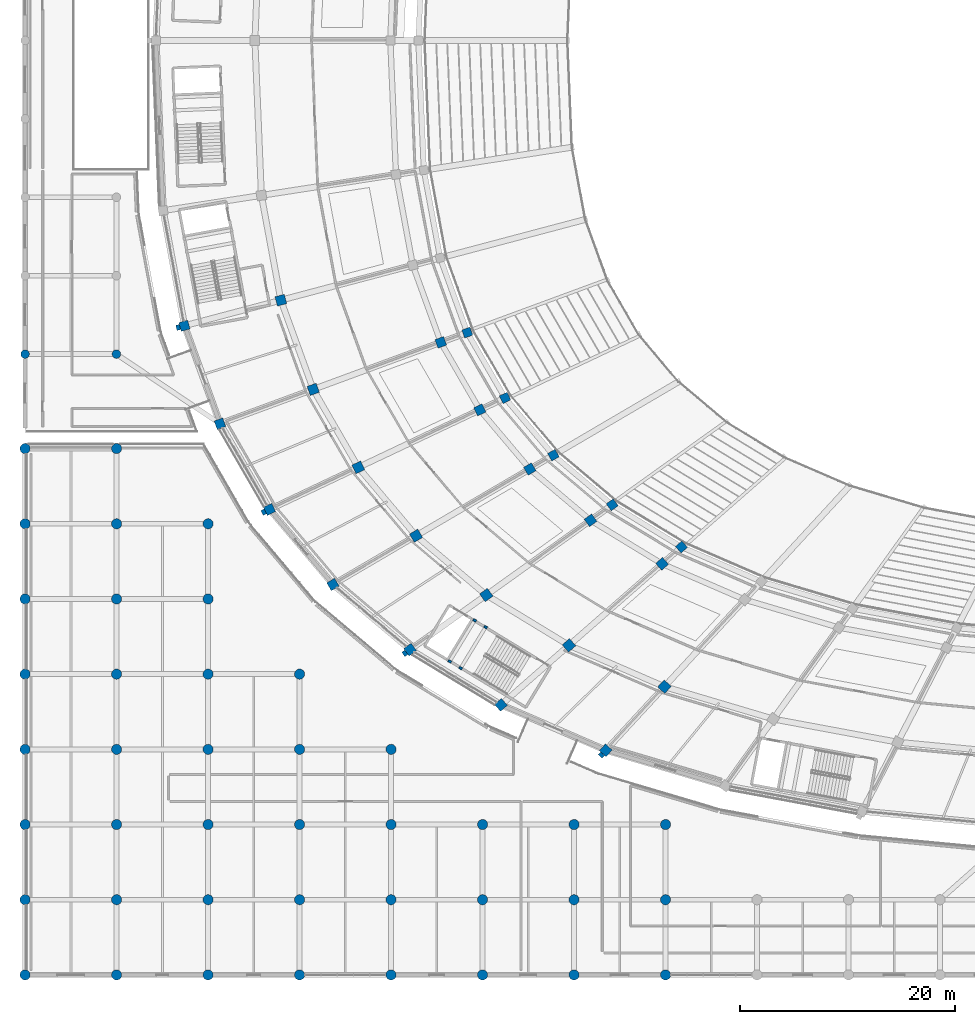
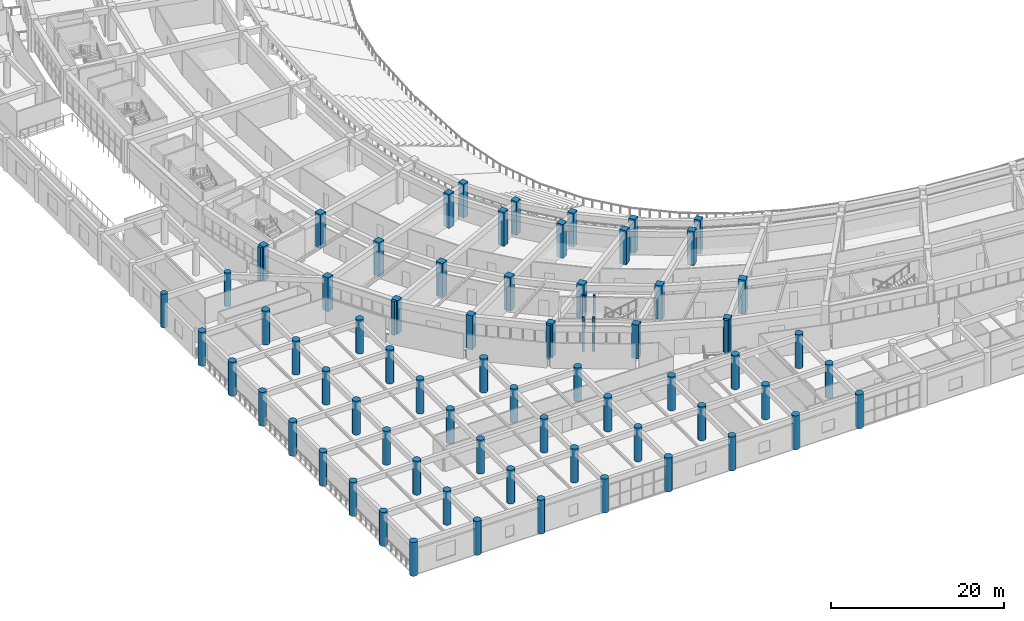
# One storey, part 1 of 152: 75 columns.
"""IFC4 building model written with IfcOpenShell, lengths in metres."""

from ifc_helpers import new_model, si_unit, direction, frame, origin, origin_2d, place, context, subcontext, project, spatial, rectangle, circle, extrude, material, material_profile, profile_set, type_object, element, save


model = new_model("IFC4")

# Units and contexts
model_context = context("Model", 3, precision=1e-05, world=origin(), true_north=direction((0.0, 1.0)))
body_context = subcontext(model_context, "Body", "Model", "MODEL_VIEW")
ifc_project = project(units=[si_unit("LENGTHUNIT", "METRE"), si_unit("AREAUNIT", "SQUARE_METRE"), si_unit("VOLUMEUNIT", "CUBIC_METRE"), si_unit("PLANEANGLEUNIT", "RADIAN"), si_unit("MASSUNIT", "GRAM", prefix="KILO")], contexts=[model_context])

# Site, building, storey
site_placement = place(None, origin())
site = spatial("IfcSite", under=ifc_project, at=site_placement, CompositionType="ELEMENT")
building_placement = place(site_placement, origin())
building = spatial("IfcBuilding", under=site, at=building_placement, Name="Mphavela Belvedere Stadium", CompositionType="ELEMENT")
storey_placement = place(building_placement, frame((0.0, 0.0, 5.39990234375)))
storey = spatial("IfcBuildingStorey", under=building, at=storey_placement, Name="L01", CompositionType="ELEMENT", Elevation=5.39990234375)

# Columns
ifc_material_1 = material(Name="Concrete C40/50", Category="concrete")
ifc_material_profile_1 = material_profile(ifc_material_1, rectangle(XDim=0.300048828125, YDim=0.219970703125, at=origin_2d()), Name="RC 300x220")
ifc_profile_set_1 = profile_set([ifc_material_profile_1], Name="Concrete C40/50")
column_type_1 = type_object("IfcColumnType", Name="COL-CORE-POST-300", PredefinedType="COLUMN", material=ifc_profile_set_1)
for number, where, z_axis, x_axis, name in (
    (1, (42.879150390625, 32.381591796875, 0.0), (0.0, 0.0, 1.0), (-0.854368143929, 0.519668235165, 0.0), "Core C10 stair frame column L01-1"),
    (2, (41.85400390625, 33.005126953125, 0.0), (0.0, 0.0, 1.0), (-0.854368143929, 0.519668235165, 0.0), "Core C10 stair frame column L01-2"),
    (3, (39.531005859375, 29.18603515625, 0.0), (0.0, 0.0, 1.0), (-0.854368143929, 0.519668235165, 0.0), "Core C10 stair frame column L01-3"),
    (4, (40.55615234375, 28.5625, 0.0), (0.0, 0.0, 1.0), (-0.854368143929, 0.519668235165, 0.0), "Core C10 stair frame column L01-4"),
):
    element("IfcColumn", number, at=place(storey_placement, frame(where, z_axis=z_axis, x_axis=x_axis)), inside=storey, type_object=column_type_1, Name=name, PredefinedType="COLUMN", context=body_context, shape_type="SweptSolid", body=[
        extrude(rectangle(XDim=0.300048828125, YDim=0.219970703125, at=origin_2d()), origin(), (0.0, 0.0, 1.0), 4.800048828125),
    ])
ifc_material_2 = material(Name="Concrete C40/50", Category="concrete")
ifc_material_profile_2 = material_profile(ifc_material_2, circle(Radius=0.47509765625, at=origin_2d()), Name="COL D950")
ifc_profile_set_2 = profile_set([ifc_material_profile_2], Name="Concrete C40/50")
column_type_2 = type_object("IfcColumnType", Name="COL-DORIC-950", PredefinedType="COLUMN", material=ifc_profile_set_2)
for number, where, z_axis, x_axis, name in (
    (5, (0.0, 0.0, 0.0), (0.0, 0.0, 1.0), (1.0, 0.0, 0.0), "South Axial Triumphal Peristyle Portico classical column L01 1-1"),
    (6, (0.0, 7.0, 0.0), (0.0, 0.0, 1.0), (1.0, 0.0, 0.0), "South Axial Triumphal Peristyle Portico classical column L01 1-2"),
    (7, (0.0, 14.0, 0.0), (0.0, 0.0, 1.0), (1.0, 0.0, 0.0), "South Axial Triumphal Peristyle Portico classical column L01 1-3"),
    (8, (0.0, 21.0, 0.0), (0.0, 0.0, 1.0), (1.0, 0.0, 0.0), "South Axial Triumphal Peristyle Portico classical column L01 1-4"),
    (9, (0.0, 28.0, 0.0), (0.0, 0.0, 1.0), (1.0, 0.0, 0.0), "South Axial Triumphal Peristyle Portico classical column L01 1-5"),
    (10, (0.0, 35.0, 0.0), (0.0, 0.0, 1.0), (1.0, 0.0, 0.0), "South Axial Triumphal Peristyle Portico classical column L01 1-6"),
    (11, (0.0, 42.0, 0.0), (0.0, 0.0, 1.0), (1.0, 0.0, 0.0), "South Axial Triumphal Peristyle Portico classical column L01 1-7"),
    (12, (0.0, 49.0, 0.0), (0.0, 0.0, 1.0), (1.0, 0.0, 0.0), "South Axial Triumphal Peristyle Portico classical column L01 1-8"),
    (13, (8.51904296875, 0.0, 0.0), (0.0, 0.0, 1.0), (1.0, 0.0, 0.0), "South Axial Triumphal Peristyle Portico classical column L01 2-1"),
    (14, (8.51904296875, 7.0, 0.0), (0.0, 0.0, 1.0), (1.0, 0.0, 0.0), "South Axial Triumphal Peristyle Portico classical column L01 2-2"),
    (15, (8.51904296875, 14.0, 0.0), (0.0, 0.0, 1.0), (1.0, 0.0, 0.0), "South Axial Triumphal Peristyle Portico classical column L01 2-3"),
    (16, (8.51904296875, 21.0, 0.0), (0.0, 0.0, 1.0), (1.0, 0.0, 0.0), "South Axial Triumphal Peristyle Portico classical column L01 2-4"),
    (17, (8.51904296875, 28.0, 0.0), (0.0, 0.0, 1.0), (1.0, 0.0, 0.0), "South Axial Triumphal Peristyle Portico classical column L01 2-5"),
    (18, (8.51904296875, 35.0, 0.0), (0.0, 0.0, 1.0), (1.0, 0.0, 0.0), "South Axial Triumphal Peristyle Portico classical column L01 2-6"),
    (19, (8.51904296875, 42.0, 0.0), (0.0, 0.0, 1.0), (1.0, 0.0, 0.0), "South Axial Triumphal Peristyle Portico classical column L01 2-7"),
    (20, (8.51904296875, 49.0, 0.0), (0.0, 0.0, 1.0), (1.0, 0.0, 0.0), "South Axial Triumphal Peristyle Portico classical column L01 2-8"),
    (21, (17.037109375, 0.0, 0.0), (0.0, 0.0, 1.0), (1.0, 0.0, 0.0), "South Axial Triumphal Peristyle Portico classical column L01 3-1"),
    (22, (17.037109375, 7.0, 0.0), (0.0, 0.0, 1.0), (1.0, 0.0, 0.0), "South Axial Triumphal Peristyle Portico classical column L01 3-2"),
    (23, (17.037109375, 14.0, 0.0), (0.0, 0.0, 1.0), (1.0, 0.0, 0.0), "South Axial Triumphal Peristyle Portico classical column L01 3-3"),
    (24, (17.037109375, 21.0, 0.0), (0.0, 0.0, 1.0), (1.0, 0.0, 0.0), "South Axial Triumphal Peristyle Portico classical column L01 3-4"),
    (25, (17.037109375, 28.0, 0.0), (0.0, 0.0, 1.0), (1.0, 0.0, 0.0), "South Axial Triumphal Peristyle Portico classical column L01 3-5"),
    (26, (17.037109375, 35.0, 0.0), (0.0, 0.0, 1.0), (1.0, 0.0, 0.0), "South Axial Triumphal Peristyle Portico classical column L01 3-6"),
    (27, (17.037109375, 42.0, 0.0), (0.0, 0.0, 1.0), (1.0, 0.0, 0.0), "South Axial Triumphal Peristyle Portico classical column L01 3-7"),
    (28, (25.555908203125, 0.0, 0.0), (0.0, 0.0, 1.0), (1.0, 0.0, 0.0), "South Axial Triumphal Peristyle Portico classical column L01 4-1"),
    (29, (25.555908203125, 7.0, 0.0), (0.0, 0.0, 1.0), (1.0, 0.0, 0.0), "South Axial Triumphal Peristyle Portico classical column L01 4-2"),
    (30, (25.555908203125, 14.0, 0.0), (0.0, 0.0, 1.0), (1.0, 0.0, 0.0), "South Axial Triumphal Peristyle Portico classical column L01 4-3"),
    (31, (25.555908203125, 21.0, 0.0), (0.0, 0.0, 1.0), (1.0, 0.0, 0.0), "South Axial Triumphal Peristyle Portico classical column L01 4-4"),
    (32, (25.555908203125, 28.0, 0.0), (0.0, 0.0, 1.0), (1.0, 0.0, 0.0), "South Axial Triumphal Peristyle Portico classical column L01 4-5"),
    (33, (34.073974609375, 0.0, 0.0), (0.0, 0.0, 1.0), (1.0, 0.0, 0.0), "South Axial Triumphal Peristyle Portico classical column L01 5-1"),
    (34, (34.073974609375, 7.0, 0.0), (0.0, 0.0, 1.0), (1.0, 0.0, 0.0), "South Axial Triumphal Peristyle Portico classical column L01 5-2"),
    (35, (34.073974609375, 14.0, 0.0), (0.0, 0.0, 1.0), (1.0, 0.0, 0.0), "South Axial Triumphal Peristyle Portico classical column L01 5-3"),
    (36, (34.073974609375, 21.0, 0.0), (0.0, 0.0, 1.0), (1.0, 0.0, 0.0), "South Axial Triumphal Peristyle Portico classical column L01 5-4"),
    (37, (42.593017578125, 0.0, 0.0), (0.0, 0.0, 1.0), (1.0, 0.0, 0.0), "South Axial Triumphal Peristyle Portico classical column L01 6-1"),
    (38, (42.593017578125, 7.0, 0.0), (0.0, 0.0, 1.0), (1.0, 0.0, 0.0), "South Axial Triumphal Peristyle Portico classical column L01 6-2"),
    (39, (42.593017578125, 14.0, 0.0), (0.0, 0.0, 1.0), (1.0, 0.0, 0.0), "South Axial Triumphal Peristyle Portico classical column L01 6-3"),
    (40, (51.111083984375, 0.0, 0.0), (0.0, 0.0, 1.0), (1.0, 0.0, 0.0), "South Axial Triumphal Peristyle Portico classical column L01 7-1"),
    (41, (51.111083984375, 7.0, 0.0), (0.0, 0.0, 1.0), (1.0, 0.0, 0.0), "South Axial Triumphal Peristyle Portico classical column L01 7-2"),
    (42, (51.111083984375, 14.0, 0.0), (0.0, 0.0, 1.0), (1.0, 0.0, 0.0), "South Axial Triumphal Peristyle Portico classical column L01 7-3"),
    (43, (59.6298828125, 0.0, 0.0), (0.0, 0.0, 1.0), (1.0, 0.0, 0.0), "South Axial Triumphal Peristyle Portico classical column L01 8-1"),
    (44, (59.6298828125, 7.0, 0.0), (0.0, 0.0, 1.0), (1.0, 0.0, 0.0), "South Axial Triumphal Peristyle Portico classical column L01 8-2"),
    (45, (59.6298828125, 14.0, 0.0), (0.0, 0.0, 1.0), (1.0, 0.0, 0.0), "South Axial Triumphal Peristyle Portico classical column L01 8-3"),
):
    element("IfcColumn", number, at=place(storey_placement, frame(where, z_axis=z_axis, x_axis=x_axis)), inside=storey, type_object=column_type_2, Name=name, PredefinedType="COLUMN", context=body_context, shape_type="SweptSolid", body=[
        extrude(circle(Radius=0.47509765625, at=origin_2d()), origin(), (0.0, 0.0, 1.0), 4.800048828125),
    ])
ifc_material_3 = material(Name="Concrete C40/50", Category="concrete")
ifc_material_profile_3 = material_profile(ifc_material_3, circle(Radius=0.39990234375, at=origin_2d()), Name="COL D800")
ifc_profile_set_3 = profile_set([ifc_material_profile_3], Name="Concrete C40/50")
column_type_3 = type_object("IfcColumnType", Name="COL-PERISTYLE-800", PredefinedType="COLUMN", material=ifc_profile_set_3)
for number, where, z_axis, x_axis, name in (
    (46, (0.0, 57.800048828125, 0.0), (0.0, 0.0, 1.0), (1.0, 0.0, 0.0), "West Planted Eaves Peristyle Colonnade classical column L01 1-2"),
    (47, (8.5, 57.800048828125, 0.0), (0.0, 0.0, 1.0), (1.0, 0.0, 0.0), "West Planted Eaves Peristyle Colonnade classical column L01 2-2"),
):
    element("IfcColumn", number, at=place(storey_placement, frame(where, z_axis=z_axis, x_axis=x_axis)), inside=storey, type_object=column_type_3, Name=name, PredefinedType="COLUMN", context=body_context, shape_type="SweptSolid", body=[
        extrude(circle(Radius=0.39990234375, at=origin_2d()), origin(), (0.0, 0.0, 1.0), 4.800048828125),
    ])
ifc_material_4 = material(Name="Concrete C40/50", Category="concrete")
ifc_material_profile_4 = material_profile(ifc_material_4, rectangle(XDim=0.800048828125, YDim=0.800048828125, at=origin_2d()), Name="RC 800x800")
ifc_profile_set_4 = profile_set([ifc_material_profile_4], Name="Concrete C40/50")
column_type_4 = type_object("IfcColumnType", Name="COL-RC800", PredefinedType="COLUMN", material=ifc_profile_set_4)
for number, where, z_axis, x_axis, name in (
    (48, (41.170166015625, 59.80078125, 0.0), (0.0, 0.0, 1.0), (-0.938372433776, -0.34562577382, 0.0), "Inner concourse column L01 R1-28"),
    (49, (44.68701171875, 53.718505859375, 0.0), (0.0, 0.0, 1.0), (-0.903858661687, -0.4278311813, 0.0), "Inner concourse column L01 R1-29"),
    (50, (49.1875, 48.388671875, 0.0), (0.0, 0.0, 1.0), (-0.862513669207, -0.506033764121, 0.0), "Inner concourse column L01 R1-30"),
    (51, (54.66259765625, 43.7685546875, 0.0), (0.0, 0.0, 1.0), (-0.812897512265, -0.582406760395, 0.0), "Inner concourse column L01 R1-31"),
    (52, (61.11083984375, 39.845703125, 0.0), (0.0, 0.0, 1.0), (-0.752529860433, -0.658558128912, 0.0), "Inner concourse column L01 R1-32"),
):
    element("IfcColumn", number, at=place(storey_placement, frame(where, z_axis=z_axis, x_axis=x_axis)), inside=storey, type_object=column_type_4, Name=name, PredefinedType="COLUMN", context=body_context, shape_type="SweptSolid", body=[
        extrude(rectangle(XDim=0.800048828125, YDim=0.800048828125, at=origin_2d()), origin(), (0.0, 0.0, 1.0), 4.800048828125),
    ])
ifc_material_5 = material(Name="Concrete C40/50", Category="concrete")
ifc_material_profile_5 = material_profile(ifc_material_5, rectangle(XDim=0.85009765625, YDim=0.85009765625, at=origin_2d()), Name="RC 850x850")
ifc_profile_set_5 = profile_set([ifc_material_profile_5], Name="Concrete C40/50")
column_type_5 = type_object("IfcColumnType", Name="COL-RC850", PredefinedType="COLUMN", material=ifc_profile_set_5)
for number, where, z_axis, x_axis, name in (
    (53, (14.83544921875, 60.4375, 0.0), (0.0, 0.0, 1.0), (-0.966600102017, -0.256289373133, 0.0), "Outer colonnade column L01 R4-27"),
    (54, (38.702880859375, 58.891845703125, 0.0), (0.0, 0.0, 1.0), (-0.938372433776, -0.34562577382, 0.0), "Middle concourse column L01 R2-28"),
    (55, (18.143798828125, 51.317626953125, 0.0), (0.0, 0.0, 1.0), (-0.938372433776, -0.34562577382, 0.0), "Outer colonnade column L01 R4-28"),
    (56, (42.33740234375, 52.606201171875, 0.0), (0.0, 0.0, 1.0), (-0.903858661687, -0.4278311813, 0.0), "Middle concourse column L01 R2-29"),
    (57, (22.757568359375, 43.33837890625, 0.0), (0.0, 0.0, 1.0), (-0.903858661687, -0.4278311813, 0.0), "Outer colonnade column L01 R4-29"),
    (58, (46.98828125, 47.098388671875, 0.0), (0.0, 0.0, 1.0), (-0.862513669207, -0.506033764121, 0.0), "Middle concourse column L01 R2-30"),
    (59, (28.66162109375, 36.346435546875, 0.0), (0.0, 0.0, 1.0), (-0.862513669207, -0.506033764121, 0.0), "Outer colonnade column L01 R4-30"),
    (60, (52.646240234375, 42.323974609375, 0.0), (0.0, 0.0, 1.0), (-0.812897512265, -0.582406760395, 0.0), "Middle concourse column L01 R2-31"),
    (61, (35.844482421875, 30.285400390625, 0.0), (0.0, 0.0, 1.0), (-0.812897512265, -0.582406760395, 0.0), "Outer colonnade column L01 R4-31"),
    (62, (59.31005859375, 38.27001953125, 0.0), (0.0, 0.0, 1.0), (-0.752529860433, -0.658558128912, 0.0), "Middle concourse column L01 R2-32"),
    (63, (44.3037109375, 25.13916015625, 0.0), (0.0, 0.0, 1.0), (-0.752529860433, -0.658558128912, 0.0), "Outer colonnade column L01 R4-32"),
    (64, (54.0625, 20.90869140625, 0.0), (0.0, 0.0, 1.0), (-0.677903094969, -0.735151272753, 0.0), "Outer colonnade column L01 R4-33"),
):
    element("IfcColumn", number, at=place(storey_placement, frame(where, z_axis=z_axis, x_axis=x_axis)), inside=storey, type_object=column_type_5, Name=name, PredefinedType="COLUMN", context=body_context, shape_type="SweptSolid", body=[
        extrude(rectangle(XDim=0.85009765625, YDim=0.85009765625, at=origin_2d()), origin(), (0.0, 0.0, 1.0), 4.800048828125),
    ])
ifc_material_6 = material(Name="Concrete C40/50", Category="concrete")
ifc_material_profile_6 = material_profile(ifc_material_6, rectangle(XDim=0.89990234375, YDim=0.89990234375, at=origin_2d()), Name="RC 900x900")
ifc_profile_set_6 = profile_set([ifc_material_profile_6], Name="Concrete C40/50")
column_type_6 = type_object("IfcColumnType", Name="COL-RC900", PredefinedType="COLUMN", material=ifc_profile_set_6)
for number, where, z_axis, x_axis, name in (
    (65, (23.8125, 62.818115234375, 0.0), (0.0, 0.0, 1.0), (-0.966600102017, -0.256289373133, 0.0), "Main bowl column L01 R3-27"),
    (66, (26.824462890625, 54.515625, 0.0), (0.0, 0.0, 1.0), (-0.938372433776, -0.34562577382, 0.0), "Main bowl column L01 R3-28"),
    (67, (31.0244140625, 47.251708984375, 0.0), (0.0, 0.0, 1.0), (-0.903858661687, -0.4278311813, 0.0), "Main bowl column L01 R3-29"),
    (68, (36.399658203125, 40.88623046875, 0.0), (0.0, 0.0, 1.0), (-0.862513669207, -0.506033764121, 0.0), "Main bowl column L01 R3-30"),
    (69, (42.938720703125, 35.368408203125, 0.0), (0.0, 0.0, 1.0), (-0.812897512265, -0.582406760395, 0.0), "Main bowl column L01 R3-31"),
    (70, (50.639892578125, 30.68310546875, 0.0), (0.0, 0.0, 1.0), (-0.752529860433, -0.658558128912, 0.0), "Main bowl column L01 R3-32"),
    (71, (59.523681640625, 26.83203125, 0.0), (0.0, 0.0, 1.0), (-0.677903094969, -0.735151272753, 0.0), "Main bowl column L01 R3-33"),
):
    element("IfcColumn", number, at=place(storey_placement, frame(where, z_axis=z_axis, x_axis=x_axis)), inside=storey, type_object=column_type_6, Name=name, PredefinedType="COLUMN", context=body_context, shape_type="SweptSolid", body=[
        extrude(rectangle(XDim=0.89990234375, YDim=0.89990234375, at=origin_2d()), origin(), (0.0, 0.0, 1.0), 4.800048828125),
    ])
ifc_material_7 = material(Name="Concrete C40/50", Category="concrete")
ifc_material_profile_7 = material_profile(ifc_material_7, rectangle(XDim=0.5, YDim=0.35009765625, at=origin_2d()), Name="PIL 500x350")
ifc_profile_set_7 = profile_set([ifc_material_profile_7], Name="Concrete C40/50")
column_type_7 = type_object("IfcColumnType", Name="PIL-FLUTED-500", PredefinedType="PILASTER", material=ifc_profile_set_7)
for number, where, z_axis, x_axis, name in (
    (72, (14.25244140625, 60.282958984375, 0.0), (0.0, 0.0, 1.0), (0.256289373133, -0.966600102017, 0.0), "Fluted classical pilaster L01-27"),
    (73, (22.21240234375, 43.08056640625, 0.0), (0.0, 0.0, 1.0), (0.4278311813, -0.903858661687, 0.0), "Fluted classical pilaster L01-29"),
    (74, (35.354248046875, 29.934326171875, 0.0), (0.0, 0.0, 1.0), (0.582406760395, -0.812897512265, 0.0), "Fluted classical pilaster L01-31"),
    (75, (53.653564453125, 20.46533203125, 0.0), (0.0, 0.0, 1.0), (0.735151272753, -0.677903094969, 0.0), "Fluted classical pilaster L01-33"),
):
    element("IfcColumn", number, at=place(storey_placement, frame(where, z_axis=z_axis, x_axis=x_axis)), inside=storey, type_object=column_type_7, Name=name, PredefinedType="PILASTER", context=body_context, shape_type="SweptSolid", body=[
        extrude(rectangle(XDim=0.5, YDim=0.35009765625, at=origin_2d()), origin(), (0.0, 0.0, 1.0), 4.800048828125),
    ])

save(model, "model.ifc")
